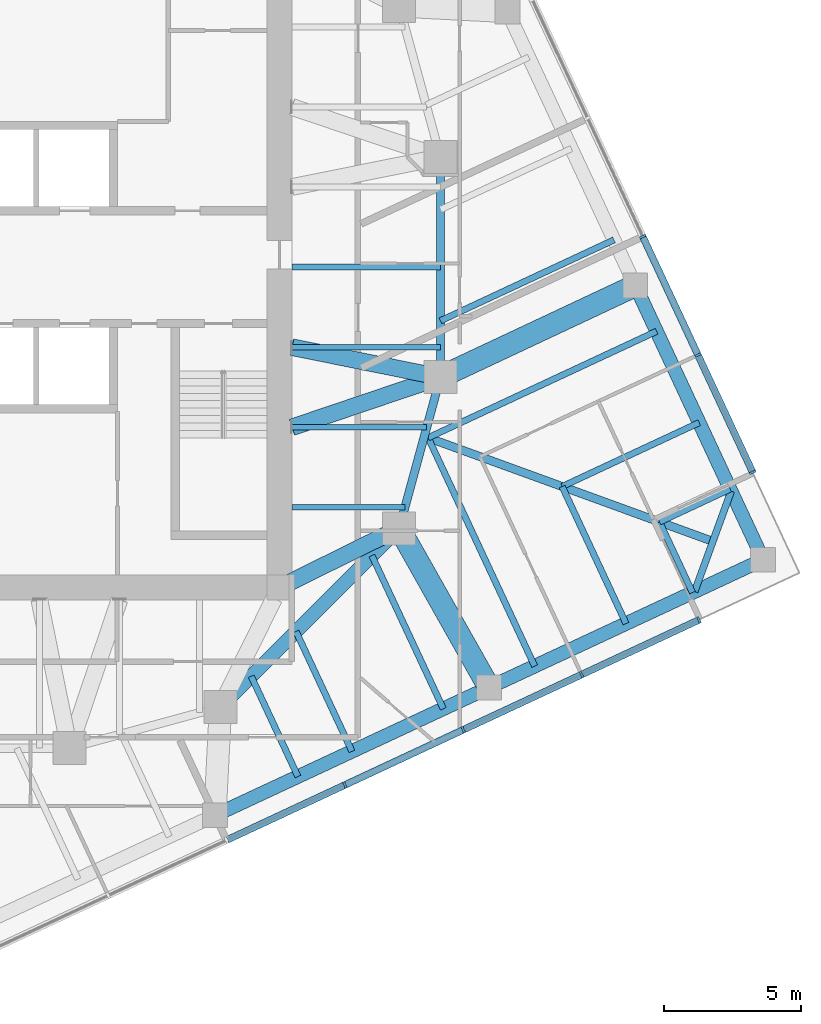
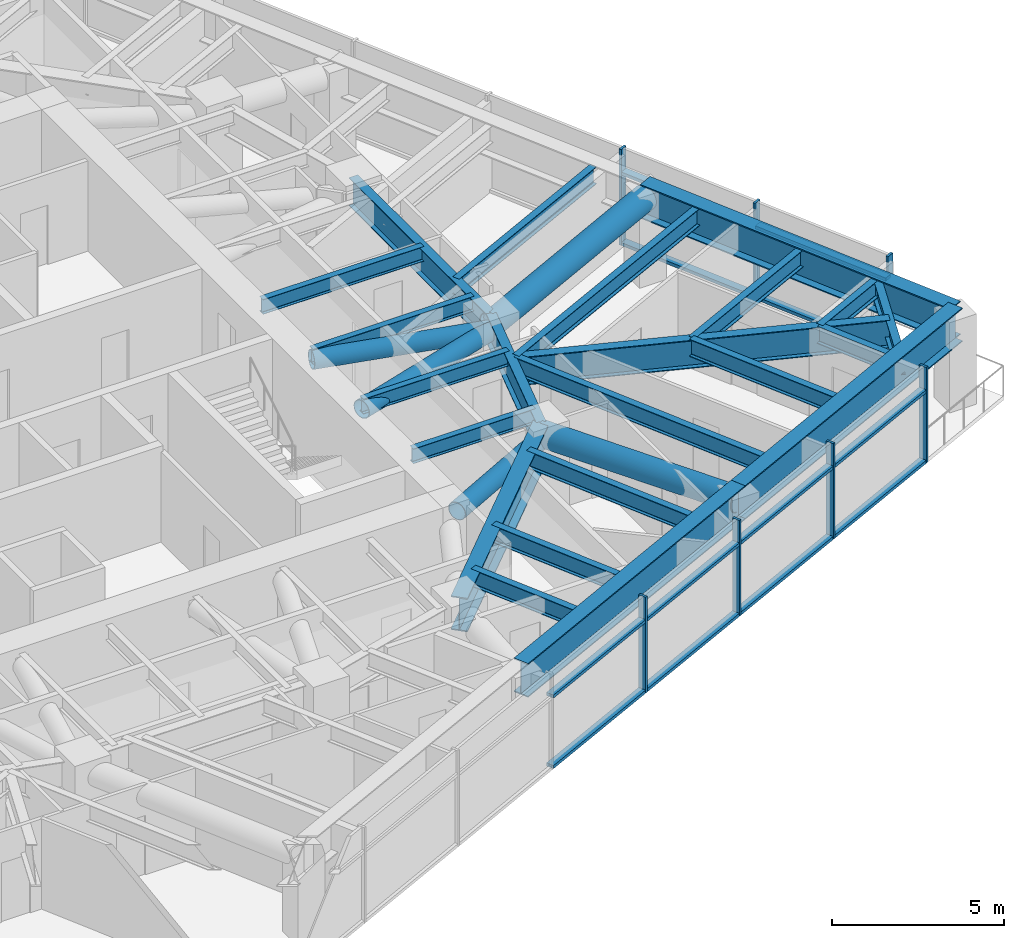
# One storey, part 4 of 16: 24 members, 22 beams, 2 elements without a shape of their own.
"""IFC4 building model written with IfcOpenShell, lengths in metres."""

import ifcopenshell
import ifcopenshell.guid

model = None  # the IFC model being written
_history = None  # IfcOwnerHistory: only IFC2X3 demands one
_inside = {}  # id of a spatial element -> (the spatial element, [elements in it])
_under = {}  # id of a project, library or spatial element -> (it, [spatial elements below it])
_declared = {}  # id of a project -> (the project, [libraries it declares])
_typed = {}  # id of a type object -> (the type object, [elements of that type])
_made_of = {}  # id of a material, layer set ... -> (it, [elements and type objects made of it])


def new_model(schema):
    """Start an empty IFC model of exactly this schema.

    Asked for "IFC4X3", IfcOpenShell would pick the latest addendum, in which some entities
    have other attributes; the version numbers below select the first issue.
    IFC2X3 requires an IfcOwnerHistory on every rooted entity: one is made here for all.
    """
    global model, _history
    if schema == "IFC4X3":
        model = ifcopenshell.file(schema_version=(4, 3, 0, 0))
    else:
        model = ifcopenshell.file(schema=schema)
    _inside.clear()
    _under.clear()
    _declared.clear()
    _typed.clear()
    _made_of.clear()
    _history = None
    if model.schema == "IFC2X3":
        org = make("IfcOrganization", Name="unknown")
        user = make(
            "IfcPersonAndOrganization",
            ThePerson=make("IfcPerson", FamilyName="unknown"),
            TheOrganization=org,
        )
        app = make(
            "IfcApplication",
            ApplicationDeveloper=org,
            Version="unknown",
            ApplicationFullName="unknown",
            ApplicationIdentifier="unknown",
        )
        _history = make(
            "IfcOwnerHistory",
            OwningUser=user,
            OwningApplication=app,
            ChangeAction="ADDED",
            CreationDate=0,
        )
    return model


def make(cls, **values):
    """One entity of the class cls with the attributes given. An attribute that is None is left unset."""
    return model.create_entity(
        cls, **{name: value for name, value in values.items() if value is not None}
    )


def rooted(cls, **values):
    """An entity with a GlobalId (a new one), such as an element, a storey or a relation."""
    return make(cls, GlobalId=ifcopenshell.guid.new(), OwnerHistory=_history, **values)


def si_unit(unit_type, name, prefix=None):
    """IfcSIUnit, for example si_unit("LENGTHUNIT", "METRE", prefix="MILLI")."""
    return make("IfcSIUnit", UnitType=unit_type, Prefix=prefix, Name=name)


def assignment(units):
    """IfcUnitAssignment: the units of a project."""
    return None if units is None else make("IfcUnitAssignment", Units=units)


def point(xyz):
    """IfcCartesianPoint."""
    return None if xyz is None else make("IfcCartesianPoint", Coordinates=xyz)


def direction(xyz):
    """IfcDirection."""
    return None if xyz is None else make("IfcDirection", DirectionRatios=xyz)


def frame(location, z_axis=None, x_axis=None):
    """IfcAxis2Placement3D, a coordinate frame: its origin and axes. An axis left out is left unset."""
    return make(
        "IfcAxis2Placement3D",
        Location=point(location),
        Axis=direction(z_axis),
        RefDirection=direction(x_axis),
    )


def frame_2d(location, x_axis=None):
    """IfcAxis2Placement2D, a coordinate frame in the plane: its origin and x axis."""
    return make(
        "IfcAxis2Placement2D", Location=point(location), RefDirection=direction(x_axis)
    )


def origin():
    """The frame at (0, 0, 0) with its axes left unset."""
    return frame((0.0, 0.0, 0.0))


def origin_2d():
    """The frame at (0, 0) in the plane with its x axis left unset."""
    return frame_2d((0.0, 0.0))


def place(relative_to, where):
    """IfcLocalPlacement: puts the frame where relative to a parent placement (None: the world)."""
    return make(
        "IfcLocalPlacement", PlacementRelTo=relative_to, RelativePlacement=where
    )


def context(
    kind, dimensions, precision=None, world=None, true_north=None, identifier=None
):
    """IfcGeometricRepresentationContext, for example the 3D "Model" context."""
    return make(
        "IfcGeometricRepresentationContext",
        ContextIdentifier=identifier,
        ContextType=kind,
        CoordinateSpaceDimension=dimensions,
        Precision=precision,
        WorldCoordinateSystem=world,
        TrueNorth=true_north,
    )


def subcontext(parent, identifier, kind, view, scale=None):
    """IfcGeometricRepresentationSubContext, for example "Body" below "Model"."""
    return make(
        "IfcGeometricRepresentationSubContext",
        ContextIdentifier=identifier,
        ContextType=kind,
        ParentContext=parent,
        TargetScale=scale,
        TargetView=view,
    )


def project(units=None, contexts=None):
    """IfcProject with its units and contexts."""
    return rooted(
        "IfcProject",
        Name="project",
        RepresentationContexts=contexts,
        UnitsInContext=assignment(units),
    )


def spatial(cls, under=None, at=None, **own):
    """A site, building, storey or space (cls), placed at a placement, below another one or the project."""
    s = rooted(cls, ObjectPlacement=at, **own)
    if under is not None:
        _under.setdefault(under.id(), (under, []))[1].append(s)
    return s


def profile(cls, at=None, kind="AREA", **sizes):
    """A parametric profile (cls). Its sizes go by their IFC names, for example OverallWidth=200.0."""
    return make(cls, ProfileType=kind, Position=at, **sizes)


def rectangle(**sizes):
    """IfcRectangleProfileDef."""
    return profile("IfcRectangleProfileDef", **sizes)


def hollow_circle(**sizes):
    """IfcCircleHollowProfileDef."""
    return profile("IfcCircleHollowProfileDef", **sizes)


def i_section(**sizes):
    """IfcIShapeProfileDef."""
    return profile("IfcIShapeProfileDef", **sizes)


def extrude(swept, where, along, depth):
    """IfcExtrudedAreaSolid: the profile swept, set in the frame where, extruded along a direction by depth."""
    return make(
        "IfcExtrudedAreaSolid",
        SweptArea=swept,
        Position=where,
        ExtrudedDirection=direction(along),
        Depth=depth,
    )


def shape(context_of_items, identifier, shape_type, items):
    """IfcShapeRepresentation: the items that make up one representation, for example the "Body"."""
    return make(
        "IfcShapeRepresentation",
        ContextOfItems=context_of_items,
        RepresentationIdentifier=identifier,
        RepresentationType=shape_type,
        Items=items,
    )


def material(Name=None, Category=None):
    """IfcMaterial."""
    return make("IfcMaterial", Name=Name, Category=Category)


def material_profile(
    of_material, cross_section, Name=None, Category=None, Priority=None
):
    """IfcMaterialProfile: a cross section and its material."""
    return make(
        "IfcMaterialProfile",
        Name=Name,
        Material=of_material,
        Profile=cross_section,
        Priority=Priority,
        Category=Category,
    )


def profile_set(profiles, Name=None, composite=None):
    """IfcMaterialProfileSet."""
    return make(
        "IfcMaterialProfileSet",
        Name=Name,
        MaterialProfiles=profiles,
        CompositeProfile=composite,
    )


def made_of(thing, what):
    """Note that an element or type object is made of a material, layer set ...; save() writes the relation."""
    if what is not None:
        _made_of.setdefault(what.id(), (what, []))[1].append(thing)
    return thing


def type_object(cls, material=None, **own):
    """A type object (cls), such as IfcWallType, which elements share."""
    return made_of(rooted(cls, **own), material)


def element(
    cls,
    number,
    at=None,
    inside=None,
    cuts=None,
    type_object=None,
    material=None,
    context=None,
    identifier="Body",
    shape_type=None,
    held_by="IfcProductDefinitionShape",
    body=None,
    shapes=None,
    **own,
):
    """One element of the class cls, such as IfcWall. Its Tag is "e" and its number.

    at: its placement. inside: the storey or other place that contains it. cuts: it is an
    opening in that element (IfcRelVoidsElement). A single representation is given by context,
    identifier, shape_type and body (its items); several are given by shapes. held_by: the class
    of the entity that holds the representations. save() writes the other relations.
    """
    e = rooted(cls, Tag="e%d" % number, ObjectPlacement=at, **own)
    if body is not None:
        shapes = [shape(context, identifier, shape_type, body)]
    if shapes is not None:
        e.Representation = make(held_by, Representations=shapes)
    if inside is not None:
        _inside.setdefault(inside.id(), (inside, []))[1].append(e)
    if cuts is not None:
        rooted(
            "IfcRelVoidsElement", RelatingBuildingElement=cuts, RelatedOpeningElement=e
        )
    if type_object is not None:
        _typed.setdefault(type_object.id(), (type_object, []))[1].append(e)
    return made_of(e, material)


def aggregate(whole, parts):
    """IfcRelAggregates: a whole, such as a stair, and the parts it consists of."""
    return rooted("IfcRelAggregates", RelatingObject=whole, RelatedObjects=parts)


def save(model, path):
    """Write the relations noted so far, then the file.

    IfcRelAggregates (storeys below a building ...), IfcRelContainedInSpatialStructure (elements
    in a storey), IfcRelDefinesByType, IfcRelAssociatesMaterial and IfcRelDeclares: one each for
    every whole, place, type object, material and project.
    """
    for whole, parts in _under.values():
        aggregate(whole, parts)
    for where, things in _inside.values():
        rooted(
            "IfcRelContainedInSpatialStructure",
            RelatedElements=things,
            RelatingStructure=where,
        )
    for kind, things in _typed.values():
        rooted("IfcRelDefinesByType", RelatedObjects=things, RelatingType=kind)
    for what, things in _made_of.values():
        rooted("IfcRelAssociatesMaterial", RelatedObjects=things, RelatingMaterial=what)
    for by, libraries in _declared.values():
        rooted("IfcRelDeclares", RelatingContext=by, RelatedDefinitions=libraries)
    model.write(path)


model = new_model("IFC4")

# Units and contexts
model_context = context("Model", 3, precision=1e-05, world=origin(), true_north=direction((0.0, 1.0)))
body_context = subcontext(model_context, "Body", "Model", "MODEL_VIEW")
ifc_project = project(units=[si_unit("LENGTHUNIT", "METRE"), si_unit("AREAUNIT", "SQUARE_METRE"), si_unit("VOLUMEUNIT", "CUBIC_METRE"), si_unit("PLANEANGLEUNIT", "RADIAN"), si_unit("MASSUNIT", "GRAM", prefix="KILO")], contexts=[model_context])

# Site, building, storey
site_placement = place(None, origin())
site = spatial("IfcSite", under=ifc_project, at=site_placement, CompositionType="ELEMENT")
building_placement = place(site_placement, origin())
building = spatial("IfcBuilding", under=site, at=building_placement, Name="Torsade Residences", CompositionType="ELEMENT")
storey_placement = place(building_placement, frame((0.0, 0.0, 199.800048828125)))
storey = spatial("IfcBuildingStorey", under=building, at=storey_placement, Name="L55", CompositionType="ELEMENT", Elevation=199.800048828125)

# Beams
ifc_material_1 = material(Name="Steel grade 300", Category="steel")
ifc_material_profile_1 = material_profile(ifc_material_1, i_section(OverallWidth=0.300048828125, OverallDepth=1.0, WebThickness=0.01611328125, FlangeThickness=0.028076171875, at=origin_2d()), Name="1000WB215")
ifc_profile_set_1 = profile_set([ifc_material_profile_1], Name="Steel grade 300")
beam_type_1 = type_object("IfcBeamType", Name="CORNER GIRDER 1000WB215", PredefinedType="BEAM", material=ifc_profile_set_1)
beam_1_placement = place(storey_placement, frame((67.4091796875, 20.02392578125, 2.699951171875), z_axis=(-0.93969447651, 0.342015044723, 0.0), x_axis=(-0.342015044723, -0.93969447651, 0.0)))
element("IfcBeam", 1, at=beam_1_placement, inside=storey, type_object=beam_type_1, Name="Corner girder 05 L56", PredefinedType="BEAM", context=body_context, shape_type="SweptSolid", body=[
    extrude(i_section(OverallWidth=0.300048828125, OverallDepth=1.0, WebThickness=0.01611328125, FlangeThickness=0.028076171875, at=origin_2d()), origin(), (0.0, 0.0, 1.0), 11.170654296875),
])
ifc_material_2 = material(Name="Steel grade 300", Category="steel")
ifc_material_profile_2 = material_profile(ifc_material_2, i_section(OverallWidth=0.25, OverallDepth=0.699951171875, WebThickness=0.010009765625, FlangeThickness=0.02001953125, at=origin_2d()), Name="700WB130")
ifc_profile_set_2 = profile_set([ifc_material_profile_2], Name="Steel grade 300")
beam_type_2 = type_object("IfcBeamType", Name="CORNER TRIMMER 700WB130", PredefinedType="BEAM", material=ifc_profile_set_2)
beam_2_placement = place(storey_placement, frame((68.07421875, 21.85107421875, 2.849853515625), z_axis=(-0.342005152204, -0.939698076972, 0.0), x_axis=(0.939698076972, -0.342005152204, 0.0)))
element("IfcBeam", 2, at=beam_2_placement, inside=storey, type_object=beam_type_2, Name="Corner trimmer 05 L56", PredefinedType="BEAM", context=body_context, shape_type="SweptSolid", body=[
    extrude(i_section(OverallWidth=0.25, OverallDepth=0.699951171875, WebThickness=0.010009765625, FlangeThickness=0.02001953125, at=origin_2d()), origin(), (0.0, 0.0, 1.0), 3.88916015625),
])
ifc_material_3 = material(Name="Steel grade 300", Category="steel")
ifc_material_profile_3 = material_profile(ifc_material_3, i_section(OverallWidth=0.208984375, OverallDepth=0.528076171875, WebThickness=0.009521484375, FlangeThickness=0.01318359375, FilletRadius=0.013916015625, at=origin_2d()), Name="530UB82.0")
ifc_profile_set_3 = profile_set([ifc_material_profile_3], Name="Steel grade 300")
beam_type_3 = type_object("IfcBeamType", Name="INNER FLOOR BEAM 530UB82.0", PredefinedType="JOIST", material=ifc_profile_set_3)
beam_3_placement = place(storey_placement, frame((52.10009765625, 21.262451171875, 2.93603515625), z_axis=(1.0, 0.0, 0.0), x_axis=(0.0, 1.0, 0.0)))
element("IfcBeam", 3, at=beam_3_placement, inside=storey, type_object=beam_type_3, Name="Inner floor beam IE01 L56", PredefinedType="JOIST", context=body_context, shape_type="SweptSolid", body=[
    extrude(i_section(OverallWidth=0.208984375, OverallDepth=0.528076171875, WebThickness=0.009521484375, FlangeThickness=0.01318359375, FilletRadius=0.013916015625, at=origin_2d()), origin(), (0.0, 0.0, 1.0), 4.10791015625),
])
beam_4_placement = place(storey_placement, frame((52.10009765625, 24.175048828125, 2.93603515625), z_axis=(1.0, 0.0, 0.0), x_axis=(0.0, 1.0, 0.0)))
element("IfcBeam", 4, at=beam_4_placement, inside=storey, type_object=beam_type_3, Name="Inner floor beam IE02 L56", PredefinedType="JOIST", context=body_context, shape_type="SweptSolid", body=[
    extrude(i_section(OverallWidth=0.208984375, OverallDepth=0.528076171875, WebThickness=0.009521484375, FlangeThickness=0.01318359375, FilletRadius=0.013916015625, at=origin_2d()), origin(), (0.0, 0.0, 1.0), 4.902099609375),
])
for number, where, z_axis, x_axis, name in (
    (5, (52.10009765625, 27.08740234375, 2.93603515625), (1.0, 0.0, 0.0), (0.0, 1.0, 0.0), "Inner floor beam IE03 L56"),
    (6, (52.10009765625, 30.0, 2.93603515625), (1.0, 0.0, 0.0), (0.0, 1.0, 0.0), "Inner floor beam IE04 L56"),
):
    element("IfcBeam", number, at=place(storey_placement, frame(where, z_axis=z_axis, x_axis=x_axis)), inside=storey, type_object=beam_type_3, Name=name, PredefinedType="JOIST", context=body_context, shape_type="SweptSolid", body=[
        extrude(i_section(OverallWidth=0.208984375, OverallDepth=0.528076171875, WebThickness=0.009521484375, FlangeThickness=0.01318359375, FilletRadius=0.013916015625, at=origin_2d()), origin(), (0.0, 0.0, 1.0), 5.39990234375),
    ])

# Curtain wall, members
ifc_material_4 = material(Name="Aluminium and glass", Category="aluminium")
curtain_wall_type = type_object("IfcCurtainWallType", Name="FRITTED GLASS CURTAIN WALL MID ZONE", PredefinedType="NOTDEFINED", material=ifc_material_4)
curtain_wall_1_placement = place(storey_placement, origin())
curtain_wall_1 = element("IfcCurtainWall", 7, at=curtain_wall_1_placement, inside=storey, type_object=curtain_wall_type, Name="Curtain wall L55 face 1", PredefinedType="NOTDEFINED")
ifc_material_5 = material(Name="Aluminium mullion", Category="aluminium")
ifc_material_profile_4 = material_profile(ifc_material_5, rectangle(XDim=0.25, YDim=0.080078125, at=origin_2d()), Name="MID ZONE CURTAIN WALL MULLION 250x80")
ifc_profile_set_4 = profile_set([ifc_material_profile_4], Name="Aluminium mullion")
member_type_1 = type_object("IfcMemberType", Name="MID ZONE CURTAIN WALL MULLION 250x80", PredefinedType="MULLION", material=ifc_profile_set_4)
member_1_placement = place(storey_placement, frame((54.025146484375, 11.162353515625, 0.0), z_axis=(0.0, 0.0, 1.0), x_axis=(-0.422618261978, 0.906307786926, 0.0)))
member_1 = element("IfcMember", 8, at=member_1_placement, type_object=member_type_1, Name="Mullion 6", PredefinedType="MULLION", context=body_context, shape_type="SweptSolid", body=[
    extrude(rectangle(XDim=0.25, YDim=0.080078125, at=origin_2d()), origin(), (0.0, 0.0, 1.0), 3.39990234375),
])
member_2_placement = place(storey_placement, frame((58.330078125, 13.169677734375, 0.0), z_axis=(0.0, 0.0, 1.0), x_axis=(-0.422618261978, 0.906307786926, 0.0)))
member_2 = element("IfcMember", 9, at=member_2_placement, type_object=member_type_1, Name="Mullion 7", PredefinedType="MULLION", context=body_context, shape_type="SweptSolid", body=[
    extrude(rectangle(XDim=0.25, YDim=0.080078125, at=origin_2d()), origin(), (0.0, 0.0, 1.0), 3.39990234375),
])
member_3_placement = place(storey_placement, frame((62.635009765625, 15.17724609375, 0.0), z_axis=(0.0, 0.0, 1.0), x_axis=(-0.422618261978, 0.906307786926, 0.0)))
member_3 = element("IfcMember", 10, at=member_3_placement, type_object=member_type_1, Name="Mullion 8", PredefinedType="MULLION", context=body_context, shape_type="SweptSolid", body=[
    extrude(rectangle(XDim=0.25, YDim=0.080078125, at=origin_2d()), origin(), (0.0, 0.0, 1.0), 3.39990234375),
])
member_4_placement = place(storey_placement, frame((66.90380859375, 17.167724609375, 0.0), z_axis=(0.0, 0.0, 1.0), x_axis=(-0.422618261978, 0.906307786926, 0.0)))
member_4 = element("IfcMember", 11, at=member_4_placement, type_object=member_type_1, Name="Mullion 9", PredefinedType="MULLION", context=body_context, shape_type="SweptSolid", body=[
    extrude(rectangle(XDim=0.25, YDim=0.080078125, at=origin_2d()), origin(), (0.0, 0.0, 1.0), 3.39990234375),
])

curtain_wall_2_placement = place(storey_placement, origin())
curtain_wall_2 = element("IfcCurtainWall", 12, at=curtain_wall_2_placement, inside=storey, type_object=curtain_wall_type, Name="Curtain wall L55 face 4", PredefinedType="NOTDEFINED")
member_5_placement = place(storey_placement, frame((68.85791015625, 22.53662109375, 0.0), z_axis=(0.0, 0.0, 1.0), x_axis=(-0.906307786926, -0.422618261978, 0.0)))
member_5 = element("IfcMember", 13, at=member_5_placement, type_object=member_type_1, Name="Mullion 1", PredefinedType="MULLION", context=body_context, shape_type="SweptSolid", body=[
    extrude(rectangle(XDim=0.25, YDim=0.080078125, at=origin_2d()), origin(), (0.0, 0.0, 1.0), 3.39990234375),
])
member_6_placement = place(storey_placement, frame((66.867431640625, 26.805419921875, 0.0), z_axis=(0.0, 0.0, 1.0), x_axis=(-0.906307786926, -0.422618261978, 0.0)))
member_6 = element("IfcMember", 14, at=member_6_placement, type_object=member_type_1, Name="Mullion 2", PredefinedType="MULLION", context=body_context, shape_type="SweptSolid", body=[
    extrude(rectangle(XDim=0.25, YDim=0.080078125, at=origin_2d()), origin(), (0.0, 0.0, 1.0), 3.39990234375),
])
member_7_placement = place(storey_placement, frame((64.85986328125, 31.1103515625, 0.0), z_axis=(0.0, 0.0, 1.0), x_axis=(-0.906307786926, -0.422618261978, 0.0)))
member_7 = element("IfcMember", 15, at=member_7_placement, type_object=member_type_1, Name="Mullion 3", PredefinedType="MULLION", context=body_context, shape_type="SweptSolid", body=[
    extrude(rectangle(XDim=0.25, YDim=0.080078125, at=origin_2d()), origin(), (0.0, 0.0, 1.0), 3.39990234375),
])

# Member
ifc_material_6 = material(Name="Aluminium transom", Category="aluminium")
ifc_material_profile_5 = material_profile(ifc_material_6, rectangle(XDim=0.25, YDim=0.110107421875, at=origin_2d()), Name="MID ZONE CURTAIN WALL TRANSOM 250x110")
ifc_profile_set_5 = profile_set([ifc_material_profile_5], Name="Aluminium transom")
member_type_2 = type_object("IfcMemberType", Name="MID ZONE CURTAIN WALL TRANSOM 250x110", PredefinedType="USERDEFINED", material=ifc_profile_set_5)
member_8_placement = place(storey_placement, frame((49.756591796875, 9.171875, 0.054931640625), z_axis=(0.906305976097, 0.422622145291, 0.0), x_axis=(-0.422622145291, 0.906305976097, 0.0)))
member_8 = element("IfcMember", 16, at=member_8_placement, type_object=member_type_2, Name="Transom 5.1", ObjectType="TRANSOM", PredefinedType="USERDEFINED", context=body_context, shape_type="SweptSolid", body=[
    extrude(rectangle(XDim=0.25, YDim=0.110107421875, at=origin_2d()), origin(), (0.0, 0.0, 1.0), 4.669921875),
])

member_9_placement = place(storey_placement, frame((49.756591796875, 9.171875, 2.554931640625), z_axis=(0.906305976097, 0.422622145291, 0.0), x_axis=(-0.422622145291, 0.906305976097, 0.0)))
member_9 = element("IfcMember", 17, at=member_9_placement, type_object=member_type_2, Name="Transom 5.2", ObjectType="TRANSOM", PredefinedType="USERDEFINED", context=body_context, shape_type="SweptSolid", body=[
    extrude(rectangle(XDim=0.25, YDim=0.110107421875, at=origin_2d()), origin(), (0.0, 0.0, 1.0), 4.669921875),
])

member_10_placement = place(storey_placement, frame((54.0615234375, 11.17919921875, 0.054931640625), z_axis=(0.906305976097, 0.422622145291, 0.0), x_axis=(-0.422622145291, 0.906305976097, 0.0)))
member_10 = element("IfcMember", 18, at=member_10_placement, type_object=member_type_2, Name="Transom 6.1", ObjectType="TRANSOM", PredefinedType="USERDEFINED", context=body_context, shape_type="SweptSolid", body=[
    extrude(rectangle(XDim=0.25, YDim=0.110107421875, at=origin_2d()), origin(), (0.0, 0.0, 1.0), 4.669921875),
])

member_11_placement = place(storey_placement, frame((54.0615234375, 11.17919921875, 2.554931640625), z_axis=(0.906305976097, 0.422622145291, 0.0), x_axis=(-0.422622145291, 0.906305976097, 0.0)))
member_11 = element("IfcMember", 19, at=member_11_placement, type_object=member_type_2, Name="Transom 6.2", ObjectType="TRANSOM", PredefinedType="USERDEFINED", context=body_context, shape_type="SweptSolid", body=[
    extrude(rectangle(XDim=0.25, YDim=0.110107421875, at=origin_2d()), origin(), (0.0, 0.0, 1.0), 4.669921875),
])

member_12_placement = place(storey_placement, frame((58.366455078125, 13.186767578125, 0.054931640625), z_axis=(0.906305976097, 0.422622145291, 0.0), x_axis=(-0.422622145291, 0.906305976097, 0.0)))
member_12 = element("IfcMember", 20, at=member_12_placement, type_object=member_type_2, Name="Transom 7.1", ObjectType="TRANSOM", PredefinedType="USERDEFINED", context=body_context, shape_type="SweptSolid", body=[
    extrude(rectangle(XDim=0.25, YDim=0.110107421875, at=origin_2d()), origin(), (0.0, 0.0, 1.0), 4.669921875),
])

member_13_placement = place(storey_placement, frame((58.366455078125, 13.186767578125, 2.554931640625), z_axis=(0.906305976097, 0.422622145291, 0.0), x_axis=(-0.422622145291, 0.906305976097, 0.0)))
member_13 = element("IfcMember", 21, at=member_13_placement, type_object=member_type_2, Name="Transom 7.2", ObjectType="TRANSOM", PredefinedType="USERDEFINED", context=body_context, shape_type="SweptSolid", body=[
    extrude(rectangle(XDim=0.25, YDim=0.110107421875, at=origin_2d()), origin(), (0.0, 0.0, 1.0), 4.669921875),
])

member_14_placement = place(storey_placement, frame((62.67138671875, 15.194091796875, 0.054931640625), z_axis=(0.906305687176, 0.422622764878, 0.0), x_axis=(-0.422622764878, 0.906305687176, 0.0)))
member_14 = element("IfcMember", 22, at=member_14_placement, type_object=member_type_2, Name="Transom 8.1", ObjectType="TRANSOM", PredefinedType="USERDEFINED", context=body_context, shape_type="SweptSolid", body=[
    extrude(rectangle(XDim=0.25, YDim=0.110107421875, at=origin_2d()), origin(), (0.0, 0.0, 1.0), 4.630126953125),
])

member_15_placement = place(storey_placement, frame((62.67138671875, 15.194091796875, 2.554931640625), z_axis=(0.906305687176, 0.422622764878, 0.0), x_axis=(-0.422622764878, 0.906305687176, 0.0)))
member_15 = element("IfcMember", 23, at=member_15_placement, type_object=member_type_2, Name="Transom 8.2", ObjectType="TRANSOM", PredefinedType="USERDEFINED", context=body_context, shape_type="SweptSolid", body=[
    extrude(rectangle(XDim=0.25, YDim=0.110107421875, at=origin_2d()), origin(), (0.0, 0.0, 1.0), 4.630126953125),
])

aggregate(curtain_wall_1, [member_1, member_2, member_3, member_4, member_8, member_9, member_10, member_11, member_12, member_13, member_14, member_15])

member_16_placement = place(storey_placement, frame((68.841064453125, 22.572998046875, 0.054931640625), z_axis=(-0.422642962277, 0.906296268578, 0.0), x_axis=(-0.906296268578, -0.422642962277, 0.0)))
member_16 = element("IfcMember", 24, at=member_16_placement, type_object=member_type_2, Name="Transom 1.1", ObjectType="TRANSOM", PredefinedType="USERDEFINED", context=body_context, shape_type="SweptSolid", body=[
    extrude(rectangle(XDim=0.25, YDim=0.110107421875, at=origin_2d()), origin(), (0.0, 0.0, 1.0), 4.6298828125),
])

member_17_placement = place(storey_placement, frame((68.841064453125, 22.572998046875, 2.554931640625), z_axis=(-0.422642962277, 0.906296268578, 0.0), x_axis=(-0.906296268578, -0.422642962277, 0.0)))
member_17 = element("IfcMember", 25, at=member_17_placement, type_object=member_type_2, Name="Transom 1.2", ObjectType="TRANSOM", PredefinedType="USERDEFINED", context=body_context, shape_type="SweptSolid", body=[
    extrude(rectangle(XDim=0.25, YDim=0.110107421875, at=origin_2d()), origin(), (0.0, 0.0, 1.0), 4.6298828125),
])

member_18_placement = place(storey_placement, frame((66.8505859375, 26.841552734375, 0.054931640625), z_axis=(-0.422622145291, 0.906305976097, 0.0), x_axis=(-0.906305976097, -0.422622145291, 0.0)))
member_18 = element("IfcMember", 26, at=member_18_placement, type_object=member_type_2, Name="Transom 2.1", ObjectType="TRANSOM", PredefinedType="USERDEFINED", context=body_context, shape_type="SweptSolid", body=[
    extrude(rectangle(XDim=0.25, YDim=0.110107421875, at=origin_2d()), origin(), (0.0, 0.0, 1.0), 4.669921875),
])

member_19_placement = place(storey_placement, frame((66.8505859375, 26.841552734375, 2.554931640625), z_axis=(-0.422622145291, 0.906305976097, 0.0), x_axis=(-0.906305976097, -0.422622145291, 0.0)))
member_19 = element("IfcMember", 27, at=member_19_placement, type_object=member_type_2, Name="Transom 2.2", ObjectType="TRANSOM", PredefinedType="USERDEFINED", context=body_context, shape_type="SweptSolid", body=[
    extrude(rectangle(XDim=0.25, YDim=0.110107421875, at=origin_2d()), origin(), (0.0, 0.0, 1.0), 4.669921875),
])

aggregate(curtain_wall_2, [member_5, member_6, member_7, member_16, member_17, member_18, member_19])

# Beams
ifc_material_7 = material(Name="Steel grade 300", Category="steel")
ifc_material_profile_6 = material_profile(ifc_material_7, i_section(OverallWidth=0.5, OverallDepth=1.199951171875, WebThickness=0.01611328125, FlangeThickness=0.0400390625, at=origin_2d()), Name="1200WB455")
ifc_profile_set_6 = profile_set([ifc_material_profile_6], Name="Steel grade 300")
beam_type_4 = type_object("IfcBeamType", Name="RING CORNER GIRDER 1200WB455", PredefinedType="BEAM", material=ifc_profile_set_6)
beam_5_placement = place(storey_placement, frame((49.5, 14.0, 2.599853515625), z_axis=(0.707106781187, 0.707106781187, 0.0), x_axis=(-0.707106781187, 0.707106781187, 0.0)))
element("IfcBeam", 28, at=beam_5_placement, inside=storey, type_object=beam_type_4, Name="Ring girder IR15 L56", PredefinedType="BEAM", context=body_context, shape_type="SweptSolid", body=[
    extrude(i_section(OverallWidth=0.5, OverallDepth=1.199951171875, WebThickness=0.01611328125, FlangeThickness=0.0400390625, at=origin_2d()), origin(), (0.0, 0.0, 1.0), 9.1923828125),
])
ifc_material_8 = material(Name="Steel grade 300", Category="steel")
ifc_material_profile_7 = material_profile(ifc_material_8, i_section(OverallWidth=0.300048828125, OverallDepth=1.0, WebThickness=0.01611328125, FlangeThickness=0.028076171875, at=origin_2d()), Name="1000WB215")
ifc_profile_set_7 = profile_set([ifc_material_profile_7], Name="Steel grade 300")
beam_type_5 = type_object("IfcBeamType", Name="RING GIRDER 1000WB215", PredefinedType="BEAM", material=ifc_profile_set_7)
beam_6_placement = place(storey_placement, frame((57.5, 26.0, 2.699951171875), z_axis=(0.0, 1.0, 0.0), x_axis=(-1.0, 0.0, 0.0)))
element("IfcBeam", 29, at=beam_6_placement, inside=storey, type_object=beam_type_5, Name="Ring girder IR01 L56", PredefinedType="BEAM", context=body_context, shape_type="SweptSolid", body=[
    extrude(i_section(OverallWidth=0.300048828125, OverallDepth=1.0, WebThickness=0.01611328125, FlangeThickness=0.028076171875, at=origin_2d()), origin(), (0.0, 0.0, 1.0), 8.0),
])
beam_7_placement = place(storey_placement, frame((56.0, 20.5, 2.699951171875), z_axis=(0.263117405792, 0.964763821238, 0.0), x_axis=(-0.964763821238, 0.263117405792, 0.0)))
element("IfcBeam", 30, at=beam_7_placement, inside=storey, type_object=beam_type_5, Name="Ring girder IR16 L56", PredefinedType="BEAM", context=body_context, shape_type="SweptSolid", body=[
    extrude(i_section(OverallWidth=0.300048828125, OverallDepth=1.0, WebThickness=0.01611328125, FlangeThickness=0.028076171875, at=origin_2d()), origin(), (0.0, 0.0, 1.0), 5.700927734375),
])
ifc_material_9 = material(Name="Steel grade 300", Category="steel")
ifc_material_profile_8 = material_profile(ifc_material_9, i_section(OverallWidth=0.22900390625, OverallDepth=0.612060546875, WebThickness=0.011962890625, FlangeThickness=0.01953125, FilletRadius=0.013916015625, at=origin_2d()), Name="610UB125")
ifc_profile_set_8 = profile_set([ifc_material_profile_8], Name="Steel grade 300")
beam_type_6 = type_object("IfcBeamType", Name="SECONDARY BEAM 610UB125", PredefinedType="JOIST", material=ifc_profile_set_8)
beam_8_placement = place(storey_placement, frame((52.318603515625, 11.469970703125, 2.89404296875), z_axis=(-0.42261314367, 0.906310173615, 0.0), x_axis=(-0.906310173615, -0.42261314367, 0.0)))
element("IfcBeam", 31, at=beam_8_placement, inside=storey, type_object=beam_type_6, Name="Floor beam FS07 L56", PredefinedType="JOIST", context=body_context, shape_type="SweptSolid", body=[
    extrude(i_section(OverallWidth=0.22900390625, OverallDepth=0.612060546875, WebThickness=0.011962890625, FlangeThickness=0.01953125, FilletRadius=0.013916015625, at=origin_2d()), origin(), (0.0, 0.0, 1.0), 4.02490234375),
])
beam_9_placement = place(storey_placement, frame((54.2822265625, 12.3857421875, 2.89404296875), z_axis=(-0.422618876857, 0.906307500203, 0.0), x_axis=(-0.906307500203, -0.422618876857, 0.0)))
element("IfcBeam", 32, at=beam_9_placement, inside=storey, type_object=beam_type_6, Name="Floor beam FS08 L56", PredefinedType="JOIST", context=body_context, shape_type="SweptSolid", body=[
    extrude(i_section(OverallWidth=0.22900390625, OverallDepth=0.612060546875, WebThickness=0.011962890625, FlangeThickness=0.01953125, FilletRadius=0.013916015625, at=origin_2d()), origin(), (0.0, 0.0, 1.0), 4.813232421875),
])
beam_10_placement = place(storey_placement, frame((57.60546875, 13.935302734375, 2.89404296875), z_axis=(-0.42264848683, 0.906293692233, 0.0), x_axis=(-0.906293692233, -0.42264848683, 0.0)))
element("IfcBeam", 33, at=beam_10_placement, inside=storey, type_object=beam_type_6, Name="Floor beam FS09 L56", PredefinedType="JOIST", context=body_context, shape_type="SweptSolid", body=[
    extrude(i_section(OverallWidth=0.22900390625, OverallDepth=0.612060546875, WebThickness=0.011962890625, FlangeThickness=0.01953125, FilletRadius=0.013916015625, at=origin_2d()), origin(), (0.0, 0.0, 1.0), 6.14794921875),
])
beam_11_placement = place(storey_placement, frame((60.928466796875, 15.48486328125, 2.89404296875), z_axis=(-0.422618627092, 0.90630761667, 0.0), x_axis=(-0.90630761667, -0.422618627092, 0.0)))
element("IfcBeam", 34, at=beam_11_placement, inside=storey, type_object=beam_type_6, Name="Floor beam FS10 L56", PredefinedType="JOIST", context=body_context, shape_type="SweptSolid", body=[
    extrude(i_section(OverallWidth=0.22900390625, OverallDepth=0.612060546875, WebThickness=0.011962890625, FlangeThickness=0.01953125, FilletRadius=0.013916015625, at=origin_2d()), origin(), (0.0, 0.0, 1.0), 9.166748046875),
])
beam_12_placement = place(storey_placement, frame((64.251708984375, 17.034423828125, 2.89404296875), z_axis=(-0.422632720171, 0.90630104482, 0.0), x_axis=(-0.90630104482, -0.422632720171, 0.0)))
element("IfcBeam", 35, at=beam_12_placement, inside=storey, type_object=beam_type_6, Name="Floor beam FS11 L56", PredefinedType="JOIST", context=body_context, shape_type="SweptSolid", body=[
    extrude(i_section(OverallWidth=0.22900390625, OverallDepth=0.612060546875, WebThickness=0.011962890625, FlangeThickness=0.01953125, FilletRadius=0.013916015625, at=origin_2d()), origin(), (0.0, 0.0, 1.0), 5.5),
])
for number, where, z_axis, x_axis, name in (
    (36, (66.66845703125, 18.161376953125, 2.89404296875), (-0.42257409885, 0.906328379221, 0.0), (-0.906328379221, -0.42257409885, 0.0), "Floor beam FS12 L56"),
    (37, (68.0390625, 21.9267578125, 2.89404296875), (-0.906295375613, -0.422644877104, 0.0), (0.422644877104, -0.906295375613, 0.0), "Floor beam FE01 L56"),
):
    element("IfcBeam", number, at=place(storey_placement, frame(where, z_axis=z_axis, x_axis=x_axis)), inside=storey, type_object=beam_type_6, Name=name, PredefinedType="JOIST", context=body_context, shape_type="SweptSolid", body=[
        extrude(i_section(OverallWidth=0.22900390625, OverallDepth=0.612060546875, WebThickness=0.011962890625, FlangeThickness=0.01953125, FilletRadius=0.013916015625, at=origin_2d()), origin(), (0.0, 0.0, 1.0), 2.833251953125),
    ])
beam_13_placement = place(storey_placement, frame((66.911865234375, 24.343505859375, 2.89404296875), z_axis=(-0.90630104482, -0.422632720171, 0.0), x_axis=(0.422632720171, -0.90630104482, 0.0)))
element("IfcBeam", 38, at=beam_13_placement, inside=storey, type_object=beam_type_6, Name="Floor beam FE02 L56", PredefinedType="JOIST", context=body_context, shape_type="SweptSolid", body=[
    extrude(i_section(OverallWidth=0.22900390625, OverallDepth=0.612060546875, WebThickness=0.011962890625, FlangeThickness=0.01953125, FilletRadius=0.013916015625, at=origin_2d()), origin(), (0.0, 0.0, 1.0), 5.5),
])
beam_14_placement = place(storey_placement, frame((65.3623046875, 27.666748046875, 2.89404296875), z_axis=(-0.90630761667, -0.422618627092, 0.0), x_axis=(0.422618627092, -0.90630761667, 0.0)))
element("IfcBeam", 39, at=beam_14_placement, inside=storey, type_object=beam_type_6, Name="Floor beam FE03 L56", PredefinedType="JOIST", context=body_context, shape_type="SweptSolid", body=[
    extrude(i_section(OverallWidth=0.22900390625, OverallDepth=0.612060546875, WebThickness=0.011962890625, FlangeThickness=0.01953125, FilletRadius=0.013916015625, at=origin_2d()), origin(), (0.0, 0.0, 1.0), 9.166748046875),
])
beam_15_placement = place(storey_placement, frame((63.812744140625, 30.98974609375, 2.89404296875), z_axis=(-0.906312044376, -0.422609131726, 0.0), x_axis=(0.422609131726, -0.906312044376, 0.0)))
element("IfcBeam", 40, at=beam_15_placement, inside=storey, type_object=beam_type_6, Name="Floor beam FE04 L56", PredefinedType="JOIST", context=body_context, shape_type="SweptSolid", body=[
    extrude(i_section(OverallWidth=0.22900390625, OverallDepth=0.612060546875, WebThickness=0.011962890625, FlangeThickness=0.01953125, FilletRadius=0.013916015625, at=origin_2d()), origin(), (0.0, 0.0, 1.0), 6.96533203125),
])

# Members
ifc_material_10 = material(Name="Steel grade 450", Category="steel")
ifc_material_profile_9 = material_profile(ifc_material_10, hollow_circle(Radius=0.304931640625, WallThickness=0.01611328125, at=origin_2d()), Name="610.0x16.0CHS")
ifc_profile_set_9 = profile_set([ifc_material_profile_9], Name="Steel grade 450")
member_type_3 = type_object("IfcMemberType", Name="TRANSFER FLOOR BRACE 610.0x16.0CHS", PredefinedType="BRACE", material=ifc_profile_set_9)
member_20_placement = place(storey_placement, frame((57.5, 26.0, 2.599853515625), z_axis=(-0.97976207845, 0.197299045909, 0.03375434957), x_axis=(-0.197411538983, -0.980320704809, 0.0)))
element("IfcMember", 41, at=member_20_placement, inside=storey, type_object=member_type_3, Name="Transfer floor brace TT6 bottom IR01IE03", PredefinedType="BRACE", context=body_context, shape_type="SweptSolid", body=[
    extrude(hollow_circle(Radius=0.304931640625, WallThickness=0.01611328125, at=origin_2d()), origin(), (0.0, 0.0, 1.0), 5.511474609375),
])
member_21_placement = place(storey_placement, frame((57.5, 26.0, 2.599853515625), z_axis=(-0.946855969774, -0.319999474368, 0.032620682203), x_axis=(0.320169867513, -0.947360151124, 0.0)))
element("IfcMember", 42, at=member_21_placement, inside=storey, type_object=member_type_3, Name="Transfer floor brace TT6 bottom IR01IE02", PredefinedType="BRACE", context=body_context, shape_type="SweptSolid", body=[
    extrude(hollow_circle(Radius=0.304931640625, WallThickness=0.01611328125, at=origin_2d()), origin(), (0.0, 0.0, 1.0), 5.702880859375),
])
member_22_placement = place(storey_placement, frame((56.0, 20.5, 2.599853515625), z_axis=(-0.896469701914, -0.443105036702, 0.0), x_axis=(0.443105036702, -0.896469701914, 0.0)))
element("IfcMember", 43, at=member_22_placement, inside=storey, type_object=member_type_3, Name="Transfer floor brace TT6 bottom IR16C", PredefinedType="BRACE", context=body_context, shape_type="SweptSolid", body=[
    extrude(hollow_circle(Radius=0.304931640625, WallThickness=0.01611328125, at=origin_2d()), origin(), (0.0, 0.0, 1.0), 4.40234375),
])
ifc_material_11 = material(Name="Steel grade 450", Category="steel")
ifc_material_profile_10 = material_profile(ifc_material_11, hollow_circle(Radius=0.406494140625, WallThickness=0.02490234375, at=origin_2d()), Name="813.0x25.0CHS")
ifc_profile_set_10 = profile_set([ifc_material_profile_10], Name="Steel grade 450")
member_type_4 = type_object("IfcMemberType", Name="TRANSFER FLOOR STRUT 813.0x25.0CHS", PredefinedType="STRUT", material=ifc_profile_set_10)
member_23_placement = place(storey_placement, frame((59.26708984375, 14.7099609375, 2.800048828125), z_axis=(-0.491425472703, 0.870919631641, 0.0), x_axis=(-0.870919631641, -0.491425472703, 0.0)))
element("IfcMember", 44, at=member_23_placement, inside=storey, type_object=member_type_4, Name="Transfer floor strut TT6 bottom 04IR16", PredefinedType="STRUT", context=body_context, shape_type="SweptSolid", body=[
    extrude(hollow_circle(Radius=0.406494140625, WallThickness=0.02490234375, at=origin_2d()), origin(), (0.0, 0.0, 1.0), 6.648193359375),
])
member_24_placement = place(storey_placement, frame((64.587646484375, 29.328125, 2.800048828125), z_axis=(-0.905174521931, -0.425040097929, 0.0), x_axis=(0.425040097929, -0.905174521931, 0.0)))
element("IfcMember", 45, at=member_24_placement, inside=storey, type_object=member_type_4, Name="Transfer floor strut TT6 bottom 06IR01", PredefinedType="STRUT", context=body_context, shape_type="SweptSolid", body=[
    extrude(hollow_circle(Radius=0.406494140625, WallThickness=0.02490234375, at=origin_2d()), origin(), (0.0, 0.0, 1.0), 7.830078125),
])

# Beams
ifc_material_12 = material(Name="Steel grade 300", Category="steel")
ifc_material_profile_11 = material_profile(ifc_material_12, i_section(OverallWidth=0.5, OverallDepth=1.199951171875, WebThickness=0.01611328125, FlangeThickness=0.0400390625, at=origin_2d()), Name="1200WB455")
ifc_profile_set_11 = profile_set([ifc_material_profile_11], Name="Steel grade 300")
beam_type_7 = type_object("IfcBeamType", Name="TRANSFER TRUSS CHORD 1200WB455", PredefinedType="USERDEFINED", material=ifc_profile_set_11)
for number, where, z_axis, x_axis, name in (
    (46, (49.297607421875, 10.061279296875, 2.800048828125), (0.906313510001, 0.422605988587, 0.0), (-0.422605988587, 0.906313510001, 0.0), "Transfer truss TT6 bottom chord 03"),
    (47, (59.26708984375, 14.7099609375, 2.800048828125), (0.90630104482, 0.422632720171, 0.0), (-0.422632720171, 0.90630104482, 0.0), "Transfer truss TT6 bottom chord 04"),
):
    element("IfcBeam", number, at=place(storey_placement, frame(where, z_axis=z_axis, x_axis=x_axis)), inside=storey, type_object=beam_type_7, Name=name, ObjectType="TRANSFER TRUSS CHORD", PredefinedType="USERDEFINED", context=body_context, shape_type="SweptSolid", body=[
        extrude(i_section(OverallWidth=0.5, OverallDepth=1.199951171875, WebThickness=0.01611328125, FlangeThickness=0.0400390625, at=origin_2d()), origin(), (0.0, 0.0, 1.0), 11.0),
    ])
beam_16_placement = place(storey_placement, frame((69.236328125, 19.35888671875, 2.800048828125), z_axis=(-0.422614489543, 0.906309546032, 0.0), x_axis=(-0.906309546032, -0.422614489543, 0.0)))
element("IfcBeam", 48, at=beam_16_placement, inside=storey, type_object=beam_type_7, Name="Transfer truss TT6 bottom chord 05", ObjectType="TRANSFER TRUSS CHORD", PredefinedType="USERDEFINED", context=body_context, shape_type="SweptSolid", body=[
    extrude(i_section(OverallWidth=0.5, OverallDepth=1.199951171875, WebThickness=0.01611328125, FlangeThickness=0.0400390625, at=origin_2d()), origin(), (0.0, 0.0, 1.0), 10.999755859375),
])

save(model, "model.ifc")
